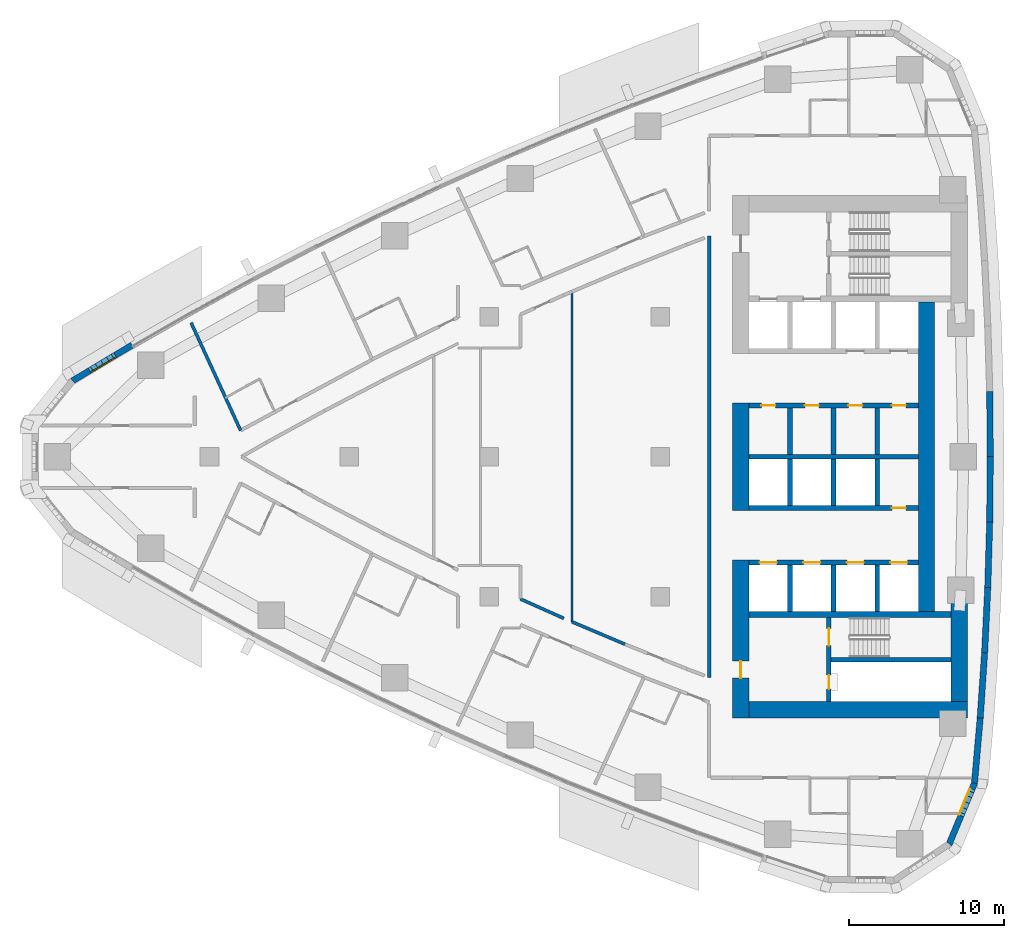
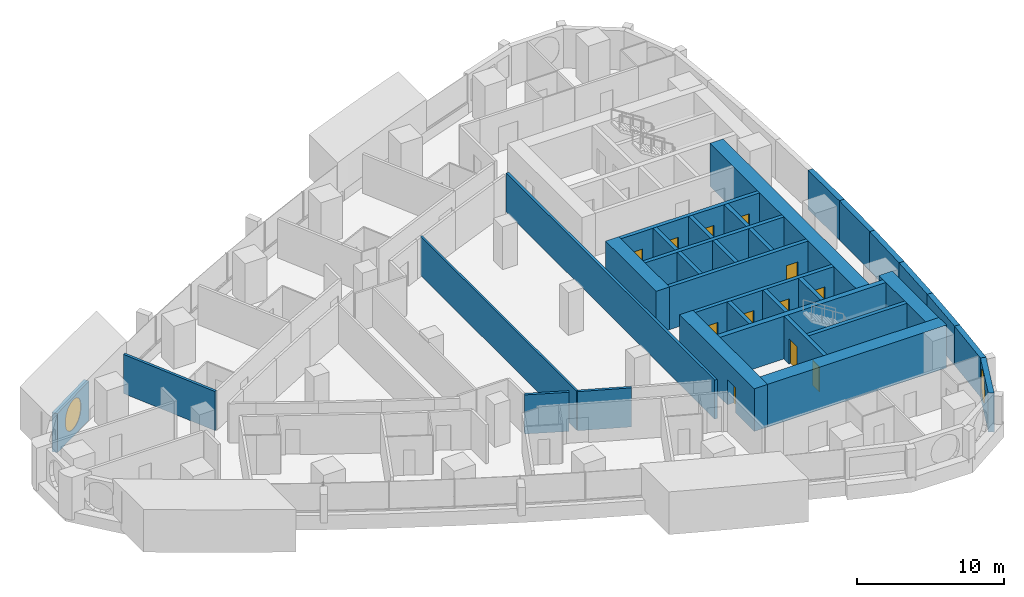
# One storey, part 10 of 17: 34 walls, 12 doors, 2 windows, 14 openings.
"""IFC4 building model written with IfcOpenShell, lengths in metres."""

from ifc_helpers import new_model, si_unit, direction, frame, frame_2d, origin, place, context, subcontext, project, spatial, polyline, rectangle, outline, extrude, material, layer, layer_set, type_object, element, fill, save


model = new_model("IFC4")

# Units and contexts
model_context = context("Model", 3, precision=1e-05, world=origin(), true_north=direction((0.0, 1.0)))
body_context = subcontext(model_context, "Body", "Model", "MODEL_VIEW")
ifc_project = project(units=[si_unit("LENGTHUNIT", "METRE"), si_unit("AREAUNIT", "SQUARE_METRE"), si_unit("VOLUMEUNIT", "CUBIC_METRE"), si_unit("PLANEANGLEUNIT", "RADIAN"), si_unit("MASSUNIT", "GRAM", prefix="KILO")], contexts=[model_context])

# Site, building, storey
site_placement = place(None, origin())
site = spatial("IfcSite", under=ifc_project, at=site_placement, CompositionType="ELEMENT")
building_placement = place(site_placement, origin())
building = spatial("IfcBuilding", under=site, at=building_placement, Name="Ostrand Prow Hotel Tower", CompositionType="ELEMENT")
storey_placement = place(building_placement, frame((0.0, 0.0, 92.0)))
storey = spatial("IfcBuildingStorey", under=building, at=storey_placement, Name="L21", CompositionType="ELEMENT", Elevation=92.0)

# Wall
ifc_material_1 = material(Name="Concrete C80/95", Category="concrete")
ifc_layer_1 = layer(ifc_material_1, 1.050048828125)
ifc_layer_set_1 = layer_set([ifc_layer_1], Name="Concrete C80/95")
wall_type_1 = type_object("IfcWallType", Name="Core wall 1050 C80/95", PredefinedType="SHEAR", material=ifc_layer_set_1)
wall_1_placement = place(storey_placement, frame((50.175048828125, -3.449951171875, 0.0), z_axis=(0.0, 0.0, 1.0), x_axis=(0.0, 1.0, 0.0)))
element("IfcWall", 1, at=wall_1_placement, inside=storey, type_object=wall_type_1, Name="Core wall CW-W-C", PredefinedType="SHEAR", context=body_context, shape_type="SweptSolid", body=[
    extrude(rectangle(XDim=6.89990234375, YDim=1.050048828125, at=frame_2d((3.449951171875, 0.0))), origin(), (0.0, 0.0, 1.0), 3.550048828125),
])

# Wall, opening, door
wall_2_placement = place(storey_placement, frame((50.175048828125, -16.800048828125, 0.0), z_axis=(0.0, 0.0, 1.0), x_axis=(0.0, 1.0, 0.0)))
wall_2 = element("IfcWall", 2, at=wall_2_placement, inside=storey, type_object=wall_type_1, Name="Core wall CW-W-S", PredefinedType="SHEAR", context=body_context, shape_type="SweptSolid", body=[
    extrude(rectangle(XDim=10.150146484375, YDim=1.050048828125, at=frame_2d((5.0751953125, 0.0))), origin(), (0.0, 0.0, 1.0), 3.550048828125),
])
opening_1_placement = place(wall_2_placement, frame((2.550048828125, 0.0, 0.0)))
opening_1 = element("IfcOpeningElement", 3, at=opening_1_placement, cuts=wall_2, Name="Opening FD1", PredefinedType="OPENING", context=body_context, shape_type="SweptSolid", body=[
    extrude(rectangle(XDim=1.10009765625, YDim=2.10009765625, at=frame_2d((0.550048828125, 1.050048828125))), frame((0.0, 0.534912109375, 0.0), z_axis=(0.0, -1.0, 0.0), x_axis=(1.0, 0.0, 0.0)), (0.0, 0.0, 1.0), 1.070068359375),
])
ifc_material_2 = material(Name="Steel fire door", Category="steel")
door_type_1 = type_object("IfcDoorType", Name="Fire door 1100 EI120", OperationType="SINGLE_SWING_RIGHT", PredefinedType="DOOR", material=ifc_material_2)
door_1_placement = place(opening_1_placement, origin())
door_1 = element("IfcDoor", 4, at=door_1_placement, inside=storey, type_object=door_type_1, Name="FIRE DOOR", OperationType="SINGLE_SWING_RIGHT", OverallHeight=2.10009765625, OverallWidth=1.10009765625, PredefinedType="DOOR", context=body_context, shape_type="SweptSolid", body=[
    extrude(rectangle(XDim=1.10009765625, YDim=2.10009765625, at=frame_2d((0.550048828125, 1.050048828125))), frame((0.0, 0.02490234375, 0.0), z_axis=(0.0, -1.0, 0.0), x_axis=(1.0, 0.0, 0.0)), (0.0, 0.0, 1.0), 0.050048828125),
])
fill(opening_1, door_1)

# Walls
wall_3_placement = place(storey_placement, frame((50.699951171875, -16.27490234375, 0.0), z_axis=(0.0, 0.0, 1.0), x_axis=(1.0, 0.0, 0.0)))
element("IfcWall", 5, at=wall_3_placement, inside=storey, type_object=wall_type_1, Name="Core wall CW-S", PredefinedType="SHEAR", context=body_context, shape_type="SweptSolid", body=[
    extrude(rectangle(XDim=14.070068359375, YDim=1.050048828125, at=frame_2d((7.03515625, 0.0))), origin(), (0.0, 0.0, 1.0), 3.550048828125),
])
wall_4_placement = place(storey_placement, frame((64.2451171875, -15.75, 0.0), z_axis=(0.0, 0.0, 1.0), x_axis=(0.0, 1.0, 0.0)))
element("IfcWall", 6, at=wall_4_placement, inside=storey, type_object=wall_type_1, Name="Core wall CW-E-S", PredefinedType="SHEAR", context=body_context, shape_type="SweptSolid", body=[
    extrude(rectangle(XDim=6.361328125, YDim=1.050048828125, at=frame_2d((3.1806640625, 0.0))), origin(), (0.0, 0.0, 1.0), 3.550048828125),
])
wall_5_placement = place(storey_placement, frame((62.125, -9.949951171875, 0.0), z_axis=(0.0, 0.0, 1.0), x_axis=(0.0, 1.0, 0.0)))
element("IfcWall", 7, at=wall_5_placement, inside=storey, type_object=wall_type_1, Name="Core wall CW-E-C", PredefinedType="SHEAR", context=body_context, shape_type="SweptSolid", body=[
    extrude(rectangle(XDim=19.89990234375, YDim=1.050048828125, at=frame_2d((9.949951171875, 0.0))), origin(), (0.0, 0.0, 1.0), 3.550048828125),
])
ifc_material_3 = material(Name="Concrete C80/95", Category="concrete")
ifc_layer_2 = layer(ifc_material_3, 0.300048828125)
ifc_layer_set_2 = layer_set([ifc_layer_2], Name="Concrete C80/95")
wall_type_2 = type_object("IfcWallType", Name="Core wall 300 C80/95", PredefinedType="SHEAR", material=ifc_layer_set_2)
wall_6_placement = place(storey_placement, frame((50.699951171875, 0.0, 0.0), z_axis=(0.0, 0.0, 1.0), x_axis=(1.0, 0.0, 0.0)))
element("IfcWall", 8, at=wall_6_placement, inside=storey, type_object=wall_type_2, Name="Core wall PW-C", PredefinedType="SHEAR", context=body_context, shape_type="SweptSolid", body=[
    extrude(rectangle(XDim=10.900146484375, YDim=0.300048828125, at=frame_2d((5.4501953125, 0.0))), origin(), (0.0, 0.0, 1.0), 3.550048828125),
])

# Wall, openings, doors
wall_7_placement = place(storey_placement, frame((50.699951171875, 3.300048828125, 0.0), z_axis=(0.0, 0.0, 1.0), x_axis=(1.0, 0.0, 0.0)))
wall_7 = element("IfcWall", 9, at=wall_7_placement, inside=storey, type_object=wall_type_2, Name="Core wall PW-L1-N", PredefinedType="SHEAR", context=body_context, shape_type="SweptSolid", body=[
    extrude(rectangle(XDim=10.900146484375, YDim=0.300048828125, at=frame_2d((5.4501953125, 0.0))), origin(), (0.0, 0.0, 1.0), 3.550048828125),
])
opening_2_placement = place(wall_7_placement, frame((0.800048828125, 0.0, 0.0)))
opening_2 = element("IfcOpeningElement", 10, at=opening_2_placement, cuts=wall_7, Name="Opening FD2", PredefinedType="OPENING", context=body_context, shape_type="SweptSolid", body=[
    extrude(rectangle(XDim=0.89990234375, YDim=2.10009765625, at=frame_2d((0.449951171875, 1.050048828125))), frame((0.0, 0.159912109375, 0.0), z_axis=(0.0, -1.0, 0.0), x_axis=(1.0, 0.0, 0.0)), (0.0, 0.0, 1.0), 0.320068359375),
])
opening_3_placement = place(wall_7_placement, frame((3.60009765625, 0.0, 0.0)))
opening_3 = element("IfcOpeningElement", 11, at=opening_3_placement, cuts=wall_7, Name="Opening FD2", PredefinedType="OPENING", context=body_context, shape_type="SweptSolid", body=[
    extrude(rectangle(XDim=0.89990234375, YDim=2.10009765625, at=frame_2d((0.449951171875, 1.050048828125))), frame((0.0, 0.159912109375, 0.0), z_axis=(0.0, -1.0, 0.0), x_axis=(1.0, 0.0, 0.0)), (0.0, 0.0, 1.0), 0.320068359375),
])
opening_4_placement = place(wall_7_placement, frame((6.39990234375, 0.0, 0.0)))
opening_4 = element("IfcOpeningElement", 12, at=opening_4_placement, cuts=wall_7, Name="Opening FD2", PredefinedType="OPENING", context=body_context, shape_type="SweptSolid", body=[
    extrude(rectangle(XDim=0.89990234375, YDim=2.10009765625, at=frame_2d((0.449951171875, 1.050048828125))), frame((0.0, 0.159912109375, 0.0), z_axis=(0.0, -1.0, 0.0), x_axis=(1.0, 0.0, 0.0)), (0.0, 0.0, 1.0), 0.320068359375),
])
opening_5_placement = place(wall_7_placement, frame((9.199951171875, 0.0, 0.0)))
opening_5 = element("IfcOpeningElement", 13, at=opening_5_placement, cuts=wall_7, Name="Opening FD2", PredefinedType="OPENING", context=body_context, shape_type="SweptSolid", body=[
    extrude(rectangle(XDim=0.89990234375, YDim=2.10009765625, at=frame_2d((0.449951171875, 1.050048828125))), frame((0.0, 0.159912109375, 0.0), z_axis=(0.0, -1.0, 0.0), x_axis=(1.0, 0.0, 0.0)), (0.0, 0.0, 1.0), 0.320068359375),
])
ifc_material_4 = material(Name="Steel fire door", Category="steel")
door_type_2 = type_object("IfcDoorType", Name="Fire door 900 EI120", OperationType="SINGLE_SWING_LEFT", PredefinedType="DOOR", material=ifc_material_4)
door_2_placement = place(opening_2_placement, origin())
door_2 = element("IfcDoor", 14, at=door_2_placement, inside=storey, type_object=door_type_2, Name="DOOR", OperationType="SINGLE_SWING_LEFT", OverallHeight=2.10009765625, OverallWidth=0.89990234375, PredefinedType="DOOR", context=body_context, shape_type="SweptSolid", body=[
    extrude(rectangle(XDim=0.89990234375, YDim=2.10009765625, at=frame_2d((0.449951171875, 1.050048828125))), frame((0.0, 0.02490234375, 0.0), z_axis=(0.0, -1.0, 0.0), x_axis=(1.0, 0.0, 0.0)), (0.0, 0.0, 1.0), 0.050048828125),
])
fill(opening_2, door_2)
door_3_placement = place(opening_3_placement, origin())
door_3 = element("IfcDoor", 15, at=door_3_placement, inside=storey, type_object=door_type_2, Name="DOOR", OperationType="SINGLE_SWING_LEFT", OverallHeight=2.10009765625, OverallWidth=0.89990234375, PredefinedType="DOOR", context=body_context, shape_type="SweptSolid", body=[
    extrude(rectangle(XDim=0.89990234375, YDim=2.10009765625, at=frame_2d((0.449951171875, 1.050048828125))), frame((0.0, 0.02490234375, 0.0), z_axis=(0.0, -1.0, 0.0), x_axis=(1.0, 0.0, 0.0)), (0.0, 0.0, 1.0), 0.050048828125),
])
fill(opening_3, door_3)
door_4_placement = place(opening_4_placement, origin())
door_4 = element("IfcDoor", 16, at=door_4_placement, inside=storey, type_object=door_type_2, Name="DOOR", OperationType="SINGLE_SWING_LEFT", OverallHeight=2.10009765625, OverallWidth=0.89990234375, PredefinedType="DOOR", context=body_context, shape_type="SweptSolid", body=[
    extrude(rectangle(XDim=0.89990234375, YDim=2.10009765625, at=frame_2d((0.449951171875, 1.050048828125))), frame((0.0, 0.02490234375, 0.0), z_axis=(0.0, -1.0, 0.0), x_axis=(1.0, 0.0, 0.0)), (0.0, 0.0, 1.0), 0.050048828125),
])
fill(opening_4, door_4)
door_5_placement = place(opening_5_placement, origin())
door_5 = element("IfcDoor", 17, at=door_5_placement, inside=storey, type_object=door_type_2, Name="DOOR", OperationType="SINGLE_SWING_LEFT", OverallHeight=2.10009765625, OverallWidth=0.89990234375, PredefinedType="DOOR", context=body_context, shape_type="SweptSolid", body=[
    extrude(rectangle(XDim=0.89990234375, YDim=2.10009765625, at=frame_2d((0.449951171875, 1.050048828125))), frame((0.0, 0.02490234375, 0.0), z_axis=(0.0, -1.0, 0.0), x_axis=(1.0, 0.0, 0.0)), (0.0, 0.0, 1.0), 0.050048828125),
])
fill(opening_5, door_5)

# Walls
for number, where, z_axis, x_axis, name in (
    (18, (53.35009765625, 0.14990234375, 0.0), (0.0, 0.0, 1.0), (0.0, 1.0, 0.0), "Core wall PW-R1-NB"),
    (19, (56.14990234375, 0.14990234375, 0.0), (0.0, 0.0, 1.0), (0.0, 1.0, 0.0), "Core wall PW-R2-NB"),
    (20, (58.949951171875, 0.14990234375, 0.0), (0.0, 0.0, 1.0), (0.0, 1.0, 0.0), "Core wall PW-R3-NB"),
):
    element("IfcWall", number, at=place(storey_placement, frame(where, z_axis=z_axis, x_axis=x_axis)), inside=storey, type_object=wall_type_2, Name=name, PredefinedType="SHEAR", context=body_context, shape_type="SweptSolid", body=[
        extrude(rectangle(XDim=3.0, YDim=0.300048828125, at=frame_2d((1.5, 0.0))), origin(), (0.0, 0.0, 1.0), 3.550048828125),
    ])

# Wall, opening, door
wall_8_placement = place(storey_placement, frame((50.699951171875, -3.300048828125, 0.0), z_axis=(0.0, 0.0, 1.0), x_axis=(1.0, 0.0, 0.0)))
wall_8 = element("IfcWall", 21, at=wall_8_placement, inside=storey, type_object=wall_type_2, Name="Core wall PW-L1-S", PredefinedType="SHEAR", context=body_context, shape_type="SweptSolid", body=[
    extrude(rectangle(XDim=10.900146484375, YDim=0.300048828125, at=frame_2d((5.4501953125, 0.0))), origin(), (0.0, 0.0, 1.0), 3.550048828125),
])
opening_6_placement = place(wall_8_placement, frame((9.199951171875, 0.0, 0.0)))
opening_6 = element("IfcOpeningElement", 22, at=opening_6_placement, cuts=wall_8, Name="Opening FD2", PredefinedType="OPENING", context=body_context, shape_type="SweptSolid", body=[
    extrude(rectangle(XDim=0.89990234375, YDim=2.10009765625, at=frame_2d((0.449951171875, 1.050048828125))), frame((0.0, 0.159912109375, 0.0), z_axis=(0.0, -1.0, 0.0), x_axis=(1.0, 0.0, 0.0)), (0.0, 0.0, 1.0), 0.320068359375),
])
door_6_placement = place(opening_6_placement, origin())
door_6 = element("IfcDoor", 23, at=door_6_placement, inside=storey, type_object=door_type_2, Name="DOOR", OperationType="SINGLE_SWING_LEFT", OverallHeight=2.10009765625, OverallWidth=0.89990234375, PredefinedType="DOOR", context=body_context, shape_type="SweptSolid", body=[
    extrude(rectangle(XDim=0.89990234375, YDim=2.10009765625, at=frame_2d((0.449951171875, 1.050048828125))), frame((0.0, 0.02490234375, 0.0), z_axis=(0.0, -1.0, 0.0), x_axis=(1.0, 0.0, 0.0)), (0.0, 0.0, 1.0), 0.050048828125),
])
fill(opening_6, door_6)

# Wall, openings, doors
wall_9_placement = place(storey_placement, frame((50.699951171875, -6.800048828125, 0.0), z_axis=(0.0, 0.0, 1.0), x_axis=(1.0, 0.0, 0.0)))
wall_9 = element("IfcWall", 24, at=wall_9_placement, inside=storey, type_object=wall_type_2, Name="Core wall PW-L2-S", PredefinedType="SHEAR", context=body_context, shape_type="SweptSolid", body=[
    extrude(rectangle(XDim=10.900146484375, YDim=0.300048828125, at=frame_2d((5.4501953125, 0.0))), origin(), (0.0, 0.0, 1.0), 3.550048828125),
])
opening_7_placement = place(wall_9_placement, frame((0.699951171875, 0.0, 0.0)))
opening_7 = element("IfcOpeningElement", 25, at=opening_7_placement, cuts=wall_9, Name="Opening LD", PredefinedType="OPENING", context=body_context, shape_type="SweptSolid", body=[
    extrude(rectangle(XDim=1.10009765625, YDim=2.10009765625, at=frame_2d((0.550048828125, 1.050048828125))), frame((0.0, 0.159912109375, 0.0), z_axis=(0.0, -1.0, 0.0), x_axis=(1.0, 0.0, 0.0)), (0.0, 0.0, 1.0), 0.320068359375),
])
opening_8_placement = place(wall_9_placement, frame((3.5, 0.0, 0.0)))
opening_8 = element("IfcOpeningElement", 26, at=opening_8_placement, cuts=wall_9, Name="Opening LD", PredefinedType="OPENING", context=body_context, shape_type="SweptSolid", body=[
    extrude(rectangle(XDim=1.10009765625, YDim=2.10009765625, at=frame_2d((0.550048828125, 1.050048828125))), frame((0.0, 0.159912109375, 0.0), z_axis=(0.0, -1.0, 0.0), x_axis=(1.0, 0.0, 0.0)), (0.0, 0.0, 1.0), 0.320068359375),
])
opening_9_placement = place(wall_9_placement, frame((6.300048828125, 0.0, 0.0)))
opening_9 = element("IfcOpeningElement", 27, at=opening_9_placement, cuts=wall_9, Name="Opening LD", PredefinedType="OPENING", context=body_context, shape_type="SweptSolid", body=[
    extrude(rectangle(XDim=1.10009765625, YDim=2.10009765625, at=frame_2d((0.550048828125, 1.050048828125))), frame((0.0, 0.159912109375, 0.0), z_axis=(0.0, -1.0, 0.0), x_axis=(1.0, 0.0, 0.0)), (0.0, 0.0, 1.0), 0.320068359375),
])
opening_10_placement = place(wall_9_placement, frame((9.10009765625, 0.0, 0.0)))
opening_10 = element("IfcOpeningElement", 28, at=opening_10_placement, cuts=wall_9, Name="Opening LD", PredefinedType="OPENING", context=body_context, shape_type="SweptSolid", body=[
    extrude(rectangle(XDim=1.10009765625, YDim=2.10009765625, at=frame_2d((0.550048828125, 1.050048828125))), frame((0.0, 0.159912109375, 0.0), z_axis=(0.0, -1.0, 0.0), x_axis=(1.0, 0.0, 0.0)), (0.0, 0.0, 1.0), 0.320068359375),
])
ifc_material_5 = material(Name="Stainless steel door", Category="steel")
door_type_3 = type_object("IfcDoorType", Name="Lift landing door 1100", OperationType="DOUBLE_DOOR_SLIDING", PredefinedType="DOOR", material=ifc_material_5)
door_7_placement = place(opening_7_placement, origin())
door_7 = element("IfcDoor", 29, at=door_7_placement, inside=storey, type_object=door_type_3, Name="LIFT LANDING DOOR", OperationType="DOUBLE_DOOR_SLIDING", OverallHeight=2.10009765625, OverallWidth=1.10009765625, PredefinedType="DOOR", context=body_context, shape_type="SweptSolid", body=[
    extrude(rectangle(XDim=1.10009765625, YDim=2.10009765625, at=frame_2d((0.550048828125, 1.050048828125))), frame((0.0, 0.02490234375, 0.0), z_axis=(0.0, -1.0, 0.0), x_axis=(1.0, 0.0, 0.0)), (0.0, 0.0, 1.0), 0.050048828125),
])
fill(opening_7, door_7)
door_8_placement = place(opening_8_placement, origin())
door_8 = element("IfcDoor", 30, at=door_8_placement, inside=storey, type_object=door_type_3, Name="LIFT LANDING DOOR", OperationType="DOUBLE_DOOR_SLIDING", OverallHeight=2.10009765625, OverallWidth=1.10009765625, PredefinedType="DOOR", context=body_context, shape_type="SweptSolid", body=[
    extrude(rectangle(XDim=1.10009765625, YDim=2.10009765625, at=frame_2d((0.550048828125, 1.050048828125))), frame((0.0, 0.02490234375, 0.0), z_axis=(0.0, -1.0, 0.0), x_axis=(1.0, 0.0, 0.0)), (0.0, 0.0, 1.0), 0.050048828125),
])
fill(opening_8, door_8)
door_9_placement = place(opening_9_placement, origin())
door_9 = element("IfcDoor", 31, at=door_9_placement, inside=storey, type_object=door_type_3, Name="LIFT LANDING DOOR", OperationType="DOUBLE_DOOR_SLIDING", OverallHeight=2.10009765625, OverallWidth=1.10009765625, PredefinedType="DOOR", context=body_context, shape_type="SweptSolid", body=[
    extrude(rectangle(XDim=1.10009765625, YDim=2.10009765625, at=frame_2d((0.550048828125, 1.050048828125))), frame((0.0, 0.02490234375, 0.0), z_axis=(0.0, -1.0, 0.0), x_axis=(1.0, 0.0, 0.0)), (0.0, 0.0, 1.0), 0.050048828125),
])
fill(opening_9, door_9)
door_10_placement = place(opening_10_placement, origin())
door_10 = element("IfcDoor", 32, at=door_10_placement, inside=storey, type_object=door_type_3, Name="LIFT LANDING DOOR", OperationType="DOUBLE_DOOR_SLIDING", OverallHeight=2.10009765625, OverallWidth=1.10009765625, PredefinedType="DOOR", context=body_context, shape_type="SweptSolid", body=[
    extrude(rectangle(XDim=1.10009765625, YDim=2.10009765625, at=frame_2d((0.550048828125, 1.050048828125))), frame((0.0, 0.02490234375, 0.0), z_axis=(0.0, -1.0, 0.0), x_axis=(1.0, 0.0, 0.0)), (0.0, 0.0, 1.0), 0.050048828125),
])
fill(opening_10, door_10)

# Walls
for number, where, z_axis, x_axis, name in (
    (33, (53.35009765625, -3.14990234375, 0.0), (0.0, 0.0, 1.0), (0.0, 1.0, 0.0), "Core wall PW-R1-SB"),
    (34, (53.35009765625, -9.949951171875, 0.0), (0.0, 0.0, 1.0), (0.0, 1.0, 0.0), "Core wall PW-R1-SA"),
    (35, (56.14990234375, -3.14990234375, 0.0), (0.0, 0.0, 1.0), (0.0, 1.0, 0.0), "Core wall PW-R2-SB"),
    (36, (56.14990234375, -9.949951171875, 0.0), (0.0, 0.0, 1.0), (0.0, 1.0, 0.0), "Core wall PW-R2-SA"),
    (37, (58.949951171875, -3.14990234375, 0.0), (0.0, 0.0, 1.0), (0.0, 1.0, 0.0), "Core wall PW-R3-SB"),
    (38, (58.949951171875, -9.949951171875, 0.0), (0.0, 0.0, 1.0), (0.0, 1.0, 0.0), "Core wall PW-R3-SA"),
):
    element("IfcWall", number, at=place(storey_placement, frame(where, z_axis=z_axis, x_axis=x_axis)), inside=storey, type_object=wall_type_2, Name=name, PredefinedType="SHEAR", context=body_context, shape_type="SweptSolid", body=[
        extrude(rectangle(XDim=3.0, YDim=0.300048828125, at=frame_2d((1.5, 0.0))), origin(), (0.0, 0.0, 1.0), 3.550048828125),
    ])

# Wall, openings, doors
wall_10_placement = place(storey_placement, frame((55.85009765625, -15.75, 0.0), z_axis=(0.0, 0.0, 1.0), x_axis=(0.0, 1.0, 0.0)))
wall_10 = element("IfcWall", 39, at=wall_10_placement, inside=storey, type_object=wall_type_2, Name="Core wall PW-VS", PredefinedType="SHEAR", context=body_context, shape_type="SweptSolid", body=[
    extrude(rectangle(XDim=5.39990234375, YDim=0.300048828125, at=frame_2d((2.699951171875, 0.0))), origin(), (0.0, 0.0, 1.0), 3.550048828125),
])
opening_11_placement = place(wall_10_placement, frame((3.60009765625, 0.0, 0.0)))
opening_11 = element("IfcOpeningElement", 40, at=opening_11_placement, cuts=wall_10, Name="Opening FD1", PredefinedType="OPENING", context=body_context, shape_type="SweptSolid", body=[
    extrude(rectangle(XDim=1.10009765625, YDim=2.10009765625, at=frame_2d((0.550048828125, 1.050048828125))), frame((0.0, 0.159912109375, 0.0), z_axis=(0.0, -1.0, 0.0), x_axis=(1.0, 0.0, 0.0)), (0.0, 0.0, 1.0), 0.320068359375),
])
opening_12_placement = place(wall_10_placement, frame((0.800048828125, 0.0, 0.0)))
opening_12 = element("IfcOpeningElement", 41, at=opening_12_placement, cuts=wall_10, Name="Opening FD2", PredefinedType="OPENING", context=body_context, shape_type="SweptSolid", body=[
    extrude(rectangle(XDim=0.89990234375, YDim=2.10009765625, at=frame_2d((0.449951171875, 1.050048828125))), frame((0.0, 0.159912109375, 0.0), z_axis=(0.0, -1.0, 0.0), x_axis=(1.0, 0.0, 0.0)), (0.0, 0.0, 1.0), 0.320068359375),
])
door_11_placement = place(opening_11_placement, origin())
door_11 = element("IfcDoor", 42, at=door_11_placement, inside=storey, type_object=door_type_1, Name="FIRE DOOR", OperationType="SINGLE_SWING_RIGHT", OverallHeight=2.10009765625, OverallWidth=1.10009765625, PredefinedType="DOOR", context=body_context, shape_type="SweptSolid", body=[
    extrude(rectangle(XDim=1.10009765625, YDim=2.10009765625, at=frame_2d((0.550048828125, 1.050048828125))), frame((0.0, 0.02490234375, 0.0), z_axis=(0.0, -1.0, 0.0), x_axis=(1.0, 0.0, 0.0)), (0.0, 0.0, 1.0), 0.050048828125),
])
fill(opening_11, door_11)
door_12_placement = place(opening_12_placement, origin())
door_12 = element("IfcDoor", 43, at=door_12_placement, inside=storey, type_object=door_type_2, Name="FIRE DOOR", OperationType="SINGLE_SWING_LEFT", OverallHeight=2.10009765625, OverallWidth=0.89990234375, PredefinedType="DOOR", context=body_context, shape_type="SweptSolid", body=[
    extrude(rectangle(XDim=0.89990234375, YDim=2.10009765625, at=frame_2d((0.449951171875, 1.050048828125))), frame((0.0, 0.02490234375, 0.0), z_axis=(0.0, -1.0, 0.0), x_axis=(1.0, 0.0, 0.0)), (0.0, 0.0, 1.0), 0.050048828125),
])
fill(opening_12, door_12)

# Walls
wall_11_placement = place(storey_placement, frame((56.0, -13.050048828125, 0.0), z_axis=(0.0, 0.0, 1.0), x_axis=(1.0, 0.0, 0.0)))
element("IfcWall", 44, at=wall_11_placement, inside=storey, type_object=wall_type_2, Name="Core wall PW-ST2R", PredefinedType="SHEAR", context=body_context, shape_type="SweptSolid", body=[
    extrude(rectangle(XDim=7.719970703125, YDim=0.300048828125, at=frame_2d((3.85986328125, 0.0))), origin(), (0.0, 0.0, 1.0), 3.550048828125),
])
ifc_material_6 = material(Name="Concrete C80/95", Category="concrete")
ifc_layer_3 = layer(ifc_material_6, 0.39990234375)
ifc_layer_set_3 = layer_set([ifc_layer_3], Name="Concrete C80/95")
wall_type_3 = type_object("IfcWallType", Name="Core wall 400 C80/95", PredefinedType="SHEAR", material=ifc_layer_set_3)
wall_12_placement = place(storey_placement, frame((50.699951171875, -10.14990234375, 0.0), z_axis=(0.0, 0.0, 1.0), x_axis=(1.0, 0.0, 0.0)))
element("IfcWall", 45, at=wall_12_placement, inside=storey, type_object=wall_type_3, Name="Core wall PW-BS", PredefinedType="SHEAR", context=body_context, shape_type="SweptSolid", body=[
    extrude(rectangle(XDim=13.02001953125, YDim=0.39990234375, at=frame_2d((6.510009765625, 0.0))), origin(), (0.0, 0.0, 1.0), 3.550048828125),
])
ifc_material_7 = material(Name="Plasterboard partition")
ifc_layer_4 = layer(ifc_material_7, 0.14990234375)
ifc_layer_set_4 = layer_set([ifc_layer_4], Name="Plasterboard partition")
wall_type_4 = type_object("IfcWallType", Name="Partition 150 room partition", PredefinedType="PARTITIONING", material=ifc_layer_set_4)
wall_13_placement = place(storey_placement, frame((39.31787109375, -10.619384765625, 0.0), z_axis=(0.0, 0.0, 1.0), x_axis=(0.0, 1.0, 0.0)))
element("IfcWall", 46, at=wall_13_placement, inside=storey, type_object=wall_type_4, Name="ROOM PARTITION", PredefinedType="PARTITIONING", context=body_context, shape_type="SweptSolid", body=[
    extrude(rectangle(XDim=21.23876953125, YDim=0.14990234375, at=frame_2d((10.619384765625, 0.0))), origin(), (0.0, 0.0, 1.0), 3.25),
])
ifc_material_8 = material(Name="Plasterboard partition")
ifc_layer_5 = layer(ifc_material_8, 0.199951171875)
ifc_layer_set_5 = layer_set([ifc_layer_5], Name="Plasterboard partition")
wall_type_5 = type_object("IfcWallType", Name="Partition 200 corridor wall", PredefinedType="PARTITIONING", material=ifc_layer_set_5)
wall_14_placement = place(storey_placement, frame((38.7919921875, -10.397216796875, 0.0), z_axis=(0.0, 0.0, 1.0), x_axis=(-0.913029587861, 0.407893333716, 0.0)))
element("IfcWall", 47, at=wall_14_placement, inside=storey, type_object=wall_type_5, Name="CORRIDOR WALL", PredefinedType="PARTITIONING", context=body_context, shape_type="SweptSolid", body=[
    extrude(rectangle(XDim=3.057861328125, YDim=0.199951171875, at=frame_2d((1.52880859375, 0.0))), origin(), (0.0, 0.0, 1.0), 3.25),
])
wall_15_placement = place(storey_placement, frame((42.727783203125, -12.0615234375, 0.0), z_axis=(0.0, 0.0, 1.0), x_axis=(-0.92101730011, 0.389521671923, 0.0)))
element("IfcWall", 48, at=wall_15_placement, inside=storey, type_object=wall_type_5, Name="CORRIDOR WALL", PredefinedType="PARTITIONING", context=body_context, shape_type="SweptSolid", body=[
    extrude(rectangle(XDim=3.702392578125, YDim=0.199951171875, at=frame_2d((1.85107421875, 0.0))), origin(), (0.0, 0.0, 1.0), 3.25),
])
wall_16_placement = place(storey_placement, frame((48.14990234375, 14.188720703125, 0.0), z_axis=(0.0, 0.0, 1.0), x_axis=(0.0, -1.0, 0.0)))
element("IfcWall", 49, at=wall_16_placement, inside=storey, type_object=wall_type_5, Name="CORRIDOR WALL", PredefinedType="PARTITIONING", context=body_context, shape_type="SweptSolid", body=[
    extrude(rectangle(XDim=28.37744140625, YDim=0.199951171875, at=frame_2d((14.188720703125, 0.0))), origin(), (0.0, 0.0, 1.0), 3.25),
])
ifc_material_9 = material(Name="Plasterboard partition")
ifc_layer_6 = layer(ifc_material_9, 0.199951171875)
ifc_layer_set_6 = layer_set([ifc_layer_6], Name="Plasterboard partition")
wall_type_6 = type_object("IfcWallType", Name="Partition 200 key partition", PredefinedType="PARTITIONING", material=ifc_layer_set_6)
wall_17_placement = place(storey_placement, frame((14.814697265625, 8.625732421875, 0.0), z_axis=(0.0, 0.0, 1.0), x_axis=(0.417432341259, -0.908708006166, 0.0)))
element("IfcWall", 50, at=wall_17_placement, inside=storey, type_object=wall_type_6, Name="KEY PARTITION", PredefinedType="PARTITIONING", context=body_context, shape_type="SweptSolid", body=[
    extrude(rectangle(XDim=7.630615234375, YDim=0.199951171875, at=frame_2d((3.8154296875, 0.0))), origin(), (0.0, 0.0, 1.0), 3.25),
])

# Wall, opening, window
ifc_material_10 = material(Name="Precast concrete C40/50", Category="concrete")
ifc_layer_7 = layer(ifc_material_10, 0.39990234375)
ifc_layer_set_7 = layer_set([ifc_layer_7], Name="Precast concrete C40/50")
wall_type_7 = type_object("IfcWallType", Name="Stone-faced precast wall 400 mm", PredefinedType="NOTDEFINED", material=ifc_layer_set_7)
wall_18_placement = place(storey_placement, frame((11.02587890625, 7.18603515625, 0.0), z_axis=(0.0, 0.0, 1.0), x_axis=(-0.857550776474, -0.514399325202, 0.0)))
wall_18 = element("IfcWall", 51, at=wall_18_placement, inside=storey, type_object=wall_type_7, Name="Stone-faced wall prow 1", PredefinedType="NOTDEFINED", context=body_context, shape_type="SweptSolid", body=[
    extrude(outline(polyline([(0.0, -0.199951171875), (4.50341796875, -0.199951171875), (4.4326171875, 0.199951171875), (0.0, 0.199951171875), (0.0, -0.199951171875)])), origin(), (0.0, 0.0, 1.0), 3.25),
])
opening_13_placement = place(wall_18_placement, frame((1.134033203125, 0.0, 0.60009765625)))
opening_13 = element("IfcOpeningElement", 52, at=opening_13_placement, cuts=wall_18, Name="Opening WP1", PredefinedType="OPENING", context=body_context, shape_type="SweptSolid", body=[
    extrude(outline(polyline([(0.0, 1.35009765625), (0.083740234375, 1.77099609375), (0.322265625, 2.127685546875), (0.678955078125, 2.3662109375), (1.10009765625, 2.449951171875), (1.52099609375, 2.3662109375), (1.877685546875, 2.127685546875), (2.1162109375, 1.77099609375), (2.199951171875, 1.35009765625), (2.199951171875, 1.10009765625), (2.1162109375, 0.678955078125), (1.877685546875, 0.322265625), (1.52099609375, 0.083740234375), (1.10009765625, 0.0), (0.678955078125, 0.083740234375), (0.322265625, 0.322265625), (0.083740234375, 0.678955078125), (0.0, 1.099853515625), (0.0, 1.35009765625)])), frame((0.0, 0.2099609375, 0.0), z_axis=(0.0, -1.0, 0.0), x_axis=(1.0, 0.0, 0.0)), (0.0, 0.0, 1.0), 0.419921875),
])
ifc_material_11 = material(Name="Insulated glass in bronze frame", Category="glass")
window_type_1 = type_object("IfcWindowType", Name="Round-ended prow window 2200x2450", PartitioningType="SINGLE_PANEL", PredefinedType="WINDOW", material=ifc_material_11)
window_1_placement = place(opening_13_placement, origin())
window_1 = element("IfcWindow", 53, at=window_1_placement, inside=storey, type_object=window_type_1, Name="Window prow 1.1", OverallHeight=2.449951171875, OverallWidth=2.199951171875, PartitioningType="SINGLE_PANEL", PredefinedType="WINDOW", context=body_context, shape_type="SweptSolid", body=[
    extrude(outline(polyline([(0.0, 1.35009765625), (0.083740234375, 1.77099609375), (0.322265625, 2.127685546875), (0.678955078125, 2.3662109375), (1.10009765625, 2.449951171875), (1.52099609375, 2.3662109375), (1.877685546875, 2.127685546875), (2.1162109375, 1.77099609375), (2.199951171875, 1.35009765625), (2.199951171875, 1.10009765625), (2.1162109375, 0.678955078125), (1.877685546875, 0.322265625), (1.52099609375, 0.083740234375), (1.10009765625, 0.0), (0.678955078125, 0.083740234375), (0.322265625, 0.322265625), (0.083740234375, 0.678955078125), (0.0, 1.099853515625), (0.0, 1.35009765625)])), frame((0.0, 0.169921875, 0.0), z_axis=(0.0, -1.0, 0.0), x_axis=(1.0, 0.0, 0.0)), (0.0, 0.0, 1.0), 0.06005859375),
])
fill(opening_13, window_1)

wall_19_placement = place(storey_placement, frame((63.589599609375, -24.91552734375, 0.0), z_axis=(0.0, 0.0, 1.0), x_axis=(0.383997751971, 0.923334027577, 0.0)))
wall_19 = element("IfcWall", 54, at=wall_19_placement, inside=storey, type_object=wall_type_7, Name="Stone-faced wall back 4", PredefinedType="NOTDEFINED", context=body_context, shape_type="SweptSolid", body=[
    extrude(outline(polyline([(-0.061279296875, -0.199951171875), (4.269775390625, -0.199951171875), (4.207763671875, 0.199951171875), (0.061279296875, 0.199951171875), (-0.061279296875, -0.199951171875)])), origin(), (0.0, 0.0, 1.0), 3.25),
])
opening_14_placement = place(wall_19_placement, frame((1.852294921875, 0.0, 0.60009765625)))
opening_14 = element("IfcOpeningElement", 55, at=opening_14_placement, cuts=wall_19, Name="Opening WP1-21", PredefinedType="OPENING", context=body_context, shape_type="SweptSolid", body=[
    extrude(outline(polyline([(0.0, 1.39990234375), (0.079833984375, 1.8017578125), (0.3076171875, 2.142333984375), (0.648193359375, 2.3701171875), (1.050048828125, 2.449951171875), (1.451904296875, 2.3701171875), (1.79248046875, 2.142333984375), (2.020263671875, 1.8017578125), (2.10009765625, 1.39990234375), (2.10009765625, 1.050048828125), (2.020263671875, 0.648193359375), (1.79248046875, 0.3076171875), (1.451904296875, 0.079833984375), (1.050048828125, 0.0), (0.648193359375, 0.079833984375), (0.3076171875, 0.3076171875), (0.079833984375, 0.648193359375), (0.0, 1.050048828125), (0.0, 1.39990234375)])), frame((0.0, 0.2099609375, 0.0), z_axis=(0.0, -1.0, 0.0), x_axis=(1.0, 0.0, 0.0)), (0.0, 0.0, 1.0), 0.419921875),
])
ifc_material_12 = material(Name="Insulated glass in bronze frame", Category="glass")
window_type_2 = type_object("IfcWindowType", Name="Round-ended prow window 2100x2450", PartitioningType="SINGLE_PANEL", PredefinedType="WINDOW", material=ifc_material_12)
window_2_placement = place(opening_14_placement, origin())
window_2 = element("IfcWindow", 56, at=window_2_placement, inside=storey, type_object=window_type_2, Name="Window back 4.1", OverallHeight=2.449951171875, OverallWidth=2.10009765625, PartitioningType="SINGLE_PANEL", PredefinedType="WINDOW", context=body_context, shape_type="SweptSolid", body=[
    extrude(outline(polyline([(0.0, 1.39990234375), (0.079833984375, 1.8017578125), (0.3076171875, 2.142333984375), (0.648193359375, 2.3701171875), (1.050048828125, 2.449951171875), (1.451904296875, 2.3701171875), (1.79248046875, 2.142333984375), (2.020263671875, 1.8017578125), (2.10009765625, 1.39990234375), (2.10009765625, 1.050048828125), (2.020263671875, 0.648193359375), (1.79248046875, 0.3076171875), (1.451904296875, 0.079833984375), (1.050048828125, 0.0), (0.648193359375, 0.079833984375), (0.3076171875, 0.3076171875), (0.079833984375, 0.648193359375), (0.0, 1.050048828125), (0.0, 1.39990234375)])), frame((0.0, 0.169921875, 0.0), z_axis=(0.0, -1.0, 0.0), x_axis=(1.0, 0.0, 0.0)), (0.0, 0.0, 1.0), 0.06005859375),
])
fill(opening_14, window_2)

# Walls
wall_20_placement = place(storey_placement, frame((65.21728515625, -21.001708984375, 0.0), z_axis=(0.0, 0.0, 1.0), x_axis=(0.086992730434, 0.996208946382, 0.0)))
element("IfcWall", 57, at=wall_20_placement, inside=storey, type_object=wall_type_7, Name="Stone-faced wall back 5", PredefinedType="NOTDEFINED", context=body_context, shape_type="SweptSolid", body=[
    extrude(outline(polyline([(-0.031005859375, -0.199951171875), (4.208740234375, -0.199951171875), (4.204833984375, 0.199951171875), (0.031005859375, 0.199951171875), (-0.031005859375, -0.199951171875)])), origin(), (0.0, 0.0, 1.0), 3.25),
])
wall_21_placement = place(storey_placement, frame((65.583251953125, -16.810791015625, 0.0), z_axis=(0.0, 0.0, 1.0), x_axis=(0.067724559895, 0.997704056315, 0.0)))
element("IfcWall", 58, at=wall_21_placement, inside=storey, type_object=wall_type_7, Name="Stone-faced wall back 6", PredefinedType="NOTDEFINED", context=body_context, shape_type="SweptSolid", body=[
    extrude(outline(polyline([(-0.001953125, -0.199951171875), (4.208984375, -0.199951171875), (4.205078125, 0.199951171875), (0.001953125, 0.199951171875), (-0.001953125, -0.199951171875)])), origin(), (0.0, 0.0, 1.0), 3.25),
])
for number, where, z_axis, x_axis, name in (
    (59, (65.8681640625, -12.613525390625, 0.0), (0.0, 0.0, 1.0), (0.048342691508, 0.998830808585, 0.0), "Stone-faced wall back 7"),
    (60, (66.071533203125, -8.41162109375, 0.0), (0.0, 0.0, 1.0), (0.02901703777, 0.999578917104, 0.0), "Stone-faced wall back 8"),
    (61, (66.193603515625, -4.20654296875, 0.0), (0.0, 0.0, 1.0), (0.00969194175, 0.99995303203, 0.0), "Stone-faced wall back 9"),
    (62, (66.234375, 0.0, 0.0), (0.0, 0.0, 1.0), (-0.00969194175, 0.99995303203, 0.0), "Stone-faced wall back 10"),
):
    element("IfcWall", number, at=place(storey_placement, frame(where, z_axis=z_axis, x_axis=x_axis)), inside=storey, type_object=wall_type_7, Name=name, PredefinedType="NOTDEFINED", context=body_context, shape_type="SweptSolid", body=[
        extrude(outline(polyline([(-0.001953125, -0.199951171875), (4.208740234375, -0.199951171875), (4.204833984375, 0.199951171875), (0.001953125, 0.199951171875), (-0.001953125, -0.199951171875)])), origin(), (0.0, 0.0, 1.0), 3.25),
    ])

save(model, "model.ifc")
